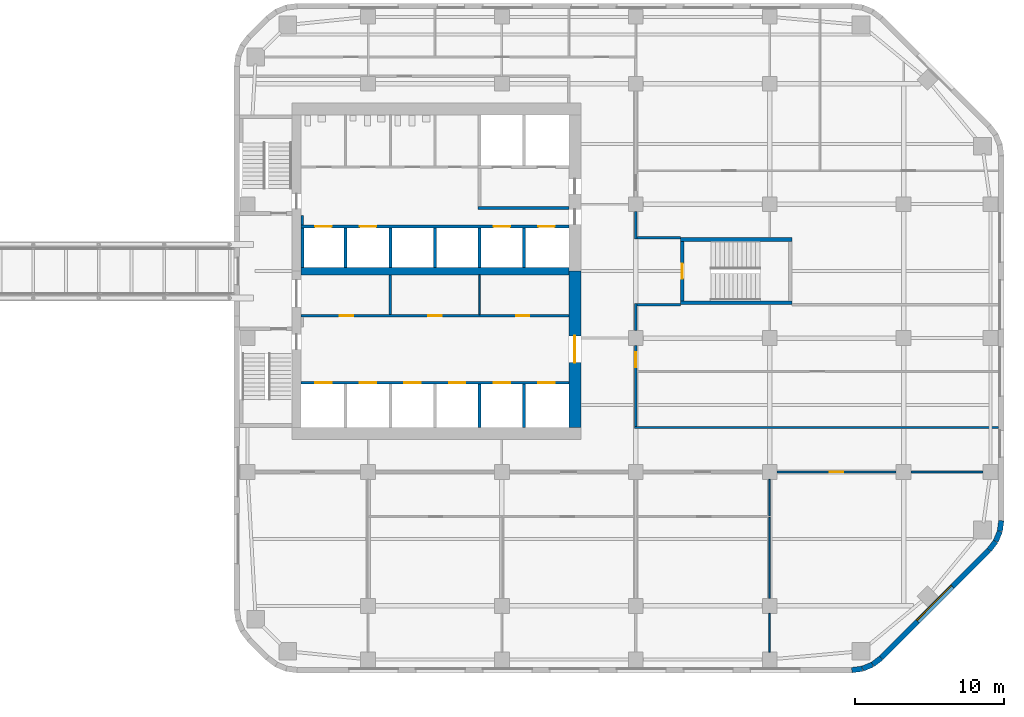
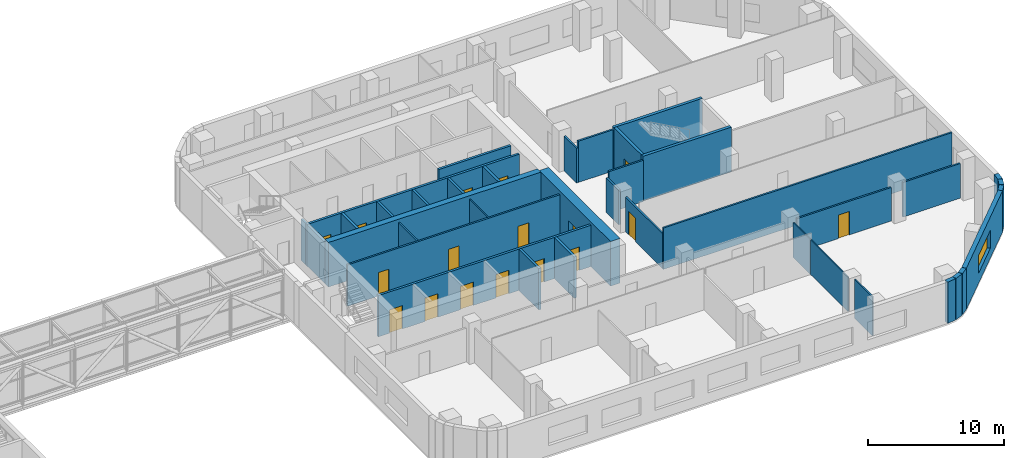
# One storey, part 15 of 21: 38 walls, 17 doors, 1 window, 18 openings.
"""IFC4 building model written with IfcOpenShell, lengths in metres."""

from ifc_helpers import new_model, si_unit, direction, frame, frame_2d, origin, place, context, subcontext, project, spatial, rectangle, extrude, material, layer, layer_set, type_object, element, fill, save


model = new_model("IFC4")

# Units and contexts
model_context = context("Model", 3, precision=1e-05, world=origin(), true_north=direction((0.0, 1.0)))
body_context = subcontext(model_context, "Body", "Model", "MODEL_VIEW")
ifc_project = project(units=[si_unit("LENGTHUNIT", "METRE"), si_unit("AREAUNIT", "SQUARE_METRE"), si_unit("VOLUMEUNIT", "CUBIC_METRE"), si_unit("PLANEANGLEUNIT", "RADIAN"), si_unit("MASSUNIT", "GRAM", prefix="KILO")], contexts=[model_context])

# Site, building, storey
site_placement = place(None, origin())
site = spatial("IfcSite", under=ifc_project, at=site_placement, CompositionType="ELEMENT")
building_placement = place(site_placement, origin())
building = spatial("IfcBuilding", under=site, at=building_placement, Name="Cinnabar Reach Civic Tower", CompositionType="ELEMENT")
storey_placement = place(building_placement, frame((0.0, 0.0, 140.0)))
storey = spatial("IfcBuildingStorey", under=building, at=storey_placement, Name="L33", CompositionType="ELEMENT", Elevation=140.0)

# Walls
ifc_material_1 = material(Name="Facing brick with insulated backing", Category="masonry")
ifc_layer_1 = layer(ifc_material_1, 0.36)
ifc_layer_set_1 = layer_set([ifc_layer_1], Name="Brick corner wall")
wall_type_1 = type_object("IfcWallType", Name="Brick corner wall", PredefinedType="STANDARD", material=ifc_layer_set_1)
for number, where, z_axis, x_axis, name in (
    (1, (41.5186, 4.683, 0.0), (0.0, 0.0, 1.0), (0.99144092581, 0.13055608231, 0.0), "Brick corner wall"),
    (2, (42.2473, 4.7819, 0.0), (0.0, 0.0, 1.0), (0.923871547278, 0.382702709855, 0.0), "Brick corner wall"),
):
    element("IfcWall", number, at=place(storey_placement, frame(where, z_axis=z_axis, x_axis=x_axis)), inside=storey, type_object=wall_type_1, Name=name, PredefinedType="STANDARD", context=body_context, shape_type="SweptSolid", body=[
        extrude(rectangle(XDim=0.7131, YDim=0.36, at=frame_2d((0.3565, 0.0))), origin(), (0.0, 0.0, 1.0), 3.7),
    ])
for number, where, z_axis, x_axis, name in (
    (3, (42.9255, 5.066, 0.0), (0.0, 0.0, 1.0), (0.793321924995, 0.608802368033, 0.0), "Brick corner wall"),
    (4, (50.7498, 12.7587, 0.0), (0.0, 0.0, 1.0), (0.608802368033, 0.793321924995, 0.0), "Brick corner wall"),
):
    element("IfcWall", number, at=place(storey_placement, frame(where, z_axis=z_axis, x_axis=x_axis)), inside=storey, type_object=wall_type_1, Name=name, PredefinedType="STANDARD", context=body_context, shape_type="SweptSolid", body=[
        extrude(rectangle(XDim=0.7132, YDim=0.36, at=frame_2d((0.3566, 0.0))), origin(), (0.0, 0.0, 1.0), 3.7),
    ])
for number, where, z_axis, x_axis, name in (
    (5, (51.1952, 13.3439, 0.0), (0.0, 0.0, 1.0), (0.382702709855, 0.923871547278, 0.0), "Brick corner wall"),
    (6, (51.4739, 14.0244, 0.0), (0.0, 0.0, 1.0), (0.13055608231, 0.99144092581, 0.0), "Brick corner wall"),
):
    element("IfcWall", number, at=place(storey_placement, frame(where, z_axis=z_axis, x_axis=x_axis)), inside=storey, type_object=wall_type_1, Name=name, PredefinedType="STANDARD", context=body_context, shape_type="SweptSolid", body=[
        extrude(rectangle(XDim=0.7131, YDim=0.36, at=frame_2d((0.3565, 0.0))), origin(), (0.0, 0.0, 1.0), 3.7),
    ])

# Wall, opening, window
ifc_layer_2 = layer(ifc_material_1, 0.36)
ifc_layer_set_2 = layer_set([ifc_layer_2], Name="Brick pier and spandrel wall")
wall_type_2 = type_object("IfcWallType", Name="Brick pier and spandrel wall", PredefinedType="STANDARD", material=ifc_layer_set_2)
wall_1_placement = place(storey_placement, frame((43.5014, 5.506, 0.0), z_axis=(0.0, 0.0, 1.0), x_axis=(0.707106781187, 0.707106781187, 0.0)))
wall_1 = element("IfcWall", 7, at=wall_1_placement, inside=storey, type_object=wall_type_2, Name="Brick facade wall", PredefinedType="STANDARD", context=body_context, shape_type="SweptSolid", body=[
    extrude(rectangle(XDim=10.2426, YDim=0.36, at=frame_2d((5.1213, 0.0))), origin(), (0.0, 0.0, 1.0), 3.7),
])
opening_1_placement = place(wall_1_placement, frame((3.4713, 0.0, 0.9)))
opening_1 = element("IfcOpeningElement", 8, at=opening_1_placement, cuts=wall_1, Name="Opening W1706", PredefinedType="OPENING", context=body_context, shape_type="SweptSolid", body=[
    extrude(rectangle(XDim=3.3, YDim=1.6, at=frame_2d((1.65, 0.8))), frame((0.0, 0.19, 0.0), z_axis=(0.0, -1.0, 0.0), x_axis=(1.0, 0.0, 0.0)), (0.0, 0.0, 1.0), 0.38),
])
ifc_material_2 = material(Name="Clear double glazing in aluminium frame", Category="aluminium")
window_type = type_object("IfcWindowType", Name="Deep-set window A", PartitioningType="SINGLE_PANEL", PredefinedType="WINDOW", material=ifc_material_2)
window_placement = place(opening_1_placement, origin())
window = element("IfcWindow", 9, at=window_placement, inside=storey, type_object=window_type, Name="Window southeast face", OverallHeight=1.6, OverallWidth=3.3, PartitioningType="SINGLE_PANEL", PredefinedType="WINDOW", context=body_context, shape_type="SweptSolid", body=[
    extrude(rectangle(XDim=3.3, YDim=1.6, at=frame_2d((1.65, 0.8))), frame((0.0, 0.13, 0.0), z_axis=(0.0, -1.0, 0.0), x_axis=(1.0, 0.0, 0.0)), (0.0, 0.0, 1.0), 0.06),
])
fill(opening_1, window)

# Wall
ifc_material_3 = material(Name="Concrete C60", Category="concrete")
ifc_layer_3 = layer(ifc_material_3, 0.5)
ifc_layer_set_3 = layer_set([ifc_layer_3], Name="Core wall 500 EI 180")
wall_type_3 = type_object("IfcWallType", Name="Core wall 500 EI 180", PredefinedType="SOLIDWALL", material=ifc_layer_set_3)
wall_2_placement = place(storey_placement, frame((4.5, 31.5, 0.0), z_axis=(0.0, 0.0, 1.0), x_axis=(1.0, 0.0, 0.0)))
element("IfcWall", 10, at=wall_2_placement, inside=storey, type_object=wall_type_3, Name="Core spine wall T1 L33", PredefinedType="SOLIDWALL", context=body_context, shape_type="SweptSolid", body=[
    extrude(rectangle(XDim=18.0, YDim=0.5, at=frame_2d((9.0, 0.0))), origin(), (0.0, 0.0, 1.0), 4.0),
])

# Wall, opening, door
ifc_material_4 = material(Name="Concrete C70", Category="concrete")
ifc_layer_4 = layer(ifc_material_4, 0.8)
ifc_layer_set_4 = layer_set([ifc_layer_4], Name="Core wall 800 EI 180")
wall_type_4 = type_object("IfcWallType", Name="Core wall 800 EI 180", PredefinedType="SOLIDWALL", material=ifc_layer_set_4)
wall_3_placement = place(storey_placement, frame((22.9, 21.0, 0.0), z_axis=(0.0, 0.0, 1.0), x_axis=(0.0, 1.0, 0.0)))
wall_3 = element("IfcWall", 11, at=wall_3_placement, inside=storey, type_object=wall_type_4, Name="Core wall T1 L33 E", PredefinedType="SOLIDWALL", context=body_context, shape_type="SweptSolid", body=[
    extrude(rectangle(XDim=10.5, YDim=0.8, at=frame_2d((5.25, 0.0))), origin(), (0.0, 0.0, 1.0), 4.0),
])
opening_2_placement = place(wall_3_placement, frame((4.35, 0.0, 0.0)))
opening_2 = element("IfcOpeningElement", 12, at=opening_2_placement, cuts=wall_3, Name="Opening D4349", PredefinedType="OPENING", context=body_context, shape_type="SweptSolid", body=[
    extrude(rectangle(XDim=1.8, YDim=2.1, at=frame_2d((0.9, 1.05))), frame((0.0, 0.41, 0.0), z_axis=(0.0, -1.0, 0.0), x_axis=(1.0, 0.0, 0.0)), (0.0, 0.0, 1.0), 0.82),
])
ifc_material_5 = material(Name="Timber door leaf in steel frame", Category="steel")
door_type_1 = type_object("IfcDoorType", Name="Double swing door 1800 x 2100 T1", OperationType="DOUBLE_DOOR_DOUBLE_SWING", PredefinedType="DOOR", material=ifc_material_5)
door_1_placement = place(opening_2_placement, origin())
door_1 = element("IfcDoor", 13, at=door_1_placement, inside=storey, type_object=door_type_1, Name="Door D4349", OperationType="DOUBLE_DOOR_DOUBLE_SWING", OverallHeight=2.1, OverallWidth=1.8, PredefinedType="DOOR", context=body_context, shape_type="SweptSolid", body=[
    extrude(rectangle(XDim=1.8, YDim=2.1, at=frame_2d((0.9, 1.05))), frame((0.0, 0.025, 0.0), z_axis=(0.0, -1.0, 0.0), x_axis=(1.0, 0.0, 0.0)), (0.0, 0.0, 1.0), 0.05),
])
fill(opening_2, door_1)

# Wall
ifc_material_6 = material(Name="Gypsum board on steel studs, double layer", Category="steel")
ifc_layer_5 = layer(ifc_material_6, 0.15)
ifc_layer_set_5 = layer_set([ifc_layer_5], Name="Corridor wall 150 T1")
wall_type_5 = type_object("IfcWallType", Name="Corridor wall 150 T1", PredefinedType="PARTITIONING", material=ifc_layer_set_5)
wall_4_placement = place(storey_placement, frame((45.5, 18.0, 0.0), z_axis=(0.0, 0.0, 1.0), x_axis=(1.0, 0.0, 0.0)))
element("IfcWall", 14, at=wall_4_placement, inside=storey, type_object=wall_type_5, Name="Corridor wall 19", PredefinedType="PARTITIONING", context=body_context, shape_type="SweptSolid", body=[
    extrude(rectangle(XDim=4.85, YDim=0.15, at=frame_2d((2.425, 0.0))), origin(), (0.0, 0.0, 1.0), 3.104),
])

# Wall, opening, door
wall_5_placement = place(storey_placement, frame((36.5, 18.0, 0.0), z_axis=(0.0, 0.0, 1.0), x_axis=(1.0, 0.0, 0.0)))
wall_5 = element("IfcWall", 15, at=wall_5_placement, inside=storey, type_object=wall_type_5, Name="Corridor wall 20", PredefinedType="PARTITIONING", context=body_context, shape_type="SweptSolid", body=[
    extrude(rectangle(XDim=8.0, YDim=0.15, at=frame_2d((4.0, 0.0))), origin(), (0.0, 0.0, 1.0), 3.008),
])
opening_3_placement = place(wall_5_placement, frame((3.55, 0.0, 0.0)))
opening_3 = element("IfcOpeningElement", 16, at=opening_3_placement, cuts=wall_5, Name="Opening D4370", PredefinedType="OPENING", context=body_context, shape_type="SweptSolid", body=[
    extrude(rectangle(XDim=0.9, YDim=2.1, at=frame_2d((0.45, 1.05))), frame((0.0, 0.085, 0.0), z_axis=(0.0, -1.0, 0.0), x_axis=(1.0, 0.0, 0.0)), (0.0, 0.0, 1.0), 0.17),
])
door_type_2 = type_object("IfcDoorType", Name="Single swing door 900 x 2100 corridor T1", OperationType="SINGLE_SWING_LEFT", PredefinedType="DOOR", material=ifc_material_5)
door_2_placement = place(opening_3_placement, frame((0.9, 0.0, 0.0), z_axis=(0.0, 0.0, 1.0), x_axis=(-1.0, 0.0, 0.0)))
door_2 = element("IfcDoor", 17, at=door_2_placement, inside=storey, type_object=door_type_2, Name="Door D4370", OperationType="SINGLE_SWING_LEFT", OverallHeight=2.1, OverallWidth=0.9, PredefinedType="DOOR", context=body_context, shape_type="SweptSolid", body=[
    extrude(rectangle(XDim=0.9, YDim=2.1, at=frame_2d((0.45, 1.05))), frame((0.0, 0.025, 0.0), z_axis=(0.0, -1.0, 0.0), x_axis=(1.0, 0.0, 0.0)), (0.0, 0.0, 1.0), 0.05),
])
fill(opening_3, door_2)

# Wall
wall_6_placement = place(storey_placement, frame((26.925, 21.0, 0.0), z_axis=(0.0, 0.0, 1.0), x_axis=(1.0, 0.0, 0.0)))
element("IfcWall", 18, at=wall_6_placement, inside=storey, type_object=wall_type_5, Name="Corridor wall 26", PredefinedType="PARTITIONING", context=body_context, shape_type="SweptSolid", body=[
    extrude(rectangle(XDim=24.465, YDim=0.15, at=frame_2d((12.2325, 0.0))), origin(), (0.0, 0.0, 1.0), 3.7),
])

# Wall, openings, doors
wall_7_placement = place(storey_placement, frame((4.5, 28.5, 0.0), z_axis=(0.0, 0.0, 1.0), x_axis=(1.0, 0.0, 0.0)))
wall_7 = element("IfcWall", 19, at=wall_7_placement, inside=storey, type_object=wall_type_5, Name="Corridor wall 28", PredefinedType="PARTITIONING", context=body_context, shape_type="SweptSolid", body=[
    extrude(rectangle(XDim=18.0, YDim=0.15, at=frame_2d((9.0, 0.0))), origin(), (0.0, 0.0, 1.0), 3.7),
])
opening_4_placement = place(wall_7_placement, frame((2.6, 0.0, 0.0)))
opening_4 = element("IfcOpeningElement", 20, at=opening_4_placement, cuts=wall_7, Name="Opening D4336", PredefinedType="OPENING", context=body_context, shape_type="SweptSolid", body=[
    extrude(rectangle(XDim=0.9, YDim=2.1, at=frame_2d((0.45, 1.05))), frame((0.0, 0.085, 0.0), z_axis=(0.0, -1.0, 0.0), x_axis=(1.0, 0.0, 0.0)), (0.0, 0.0, 1.0), 0.17),
])
opening_5_placement = place(wall_7_placement, frame((8.55, 0.0, 0.0)))
opening_5 = element("IfcOpeningElement", 21, at=opening_5_placement, cuts=wall_7, Name="Opening D4353", PredefinedType="OPENING", context=body_context, shape_type="SweptSolid", body=[
    extrude(rectangle(XDim=0.9, YDim=2.1, at=frame_2d((0.45, 1.05))), frame((0.0, 0.085, 0.0), z_axis=(0.0, -1.0, 0.0), x_axis=(1.0, 0.0, 0.0)), (0.0, 0.0, 1.0), 0.17),
])
opening_6_placement = place(wall_7_placement, frame((14.45, 0.0, 0.0)))
opening_6 = element("IfcOpeningElement", 22, at=opening_6_placement, cuts=wall_7, Name="Opening D4354", PredefinedType="OPENING", context=body_context, shape_type="SweptSolid", body=[
    extrude(rectangle(XDim=0.9, YDim=2.1, at=frame_2d((0.45, 1.05))), frame((0.0, 0.085, 0.0), z_axis=(0.0, -1.0, 0.0), x_axis=(1.0, 0.0, 0.0)), (0.0, 0.0, 1.0), 0.17),
])
door_3_placement = place(opening_4_placement, frame((0.9, 0.0, 0.0), z_axis=(0.0, 0.0, 1.0), x_axis=(-1.0, 0.0, 0.0)))
door_3 = element("IfcDoor", 23, at=door_3_placement, inside=storey, type_object=door_type_2, Name="Door D4336", OperationType="SINGLE_SWING_RIGHT", OverallHeight=2.1, OverallWidth=0.9, PredefinedType="DOOR", context=body_context, shape_type="SweptSolid", body=[
    extrude(rectangle(XDim=0.9, YDim=2.1, at=frame_2d((0.45, 1.05))), frame((0.0, 0.025, 0.0), z_axis=(0.0, -1.0, 0.0), x_axis=(1.0, 0.0, 0.0)), (0.0, 0.0, 1.0), 0.05),
])
fill(opening_4, door_3)
door_4_placement = place(opening_5_placement, origin())
door_4 = element("IfcDoor", 24, at=door_4_placement, inside=storey, type_object=door_type_2, Name="Door D4353", OperationType="SINGLE_SWING_LEFT", OverallHeight=2.1, OverallWidth=0.9, PredefinedType="DOOR", context=body_context, shape_type="SweptSolid", body=[
    extrude(rectangle(XDim=0.9, YDim=2.1, at=frame_2d((0.45, 1.05))), frame((0.0, 0.025, 0.0), z_axis=(0.0, -1.0, 0.0), x_axis=(1.0, 0.0, 0.0)), (0.0, 0.0, 1.0), 0.05),
])
fill(opening_5, door_4)
door_5_placement = place(opening_6_placement, origin())
door_5 = element("IfcDoor", 25, at=door_5_placement, inside=storey, type_object=door_type_2, Name="Door D4354", OperationType="SINGLE_SWING_LEFT", OverallHeight=2.1, OverallWidth=0.9, PredefinedType="DOOR", context=body_context, shape_type="SweptSolid", body=[
    extrude(rectangle(XDim=0.9, YDim=2.1, at=frame_2d((0.45, 1.05))), frame((0.0, 0.025, 0.0), z_axis=(0.0, -1.0, 0.0), x_axis=(1.0, 0.0, 0.0)), (0.0, 0.0, 1.0), 0.05),
])
fill(opening_6, door_5)

# Wall
wall_8_placement = place(storey_placement, frame((27.0, 33.675, 0.0), z_axis=(0.0, 0.0, 1.0), x_axis=(0.0, 1.0, 0.0)))
element("IfcWall", 26, at=wall_8_placement, inside=storey, type_object=wall_type_5, Name="Corridor wall 29", PredefinedType="PARTITIONING", context=body_context, shape_type="SweptSolid", body=[
    extrude(rectangle(XDim=1.825, YDim=0.15, at=frame_2d((0.9125, 0.0))), origin(), (0.0, 0.0, 1.0), 3.106),
])

# Wall, opening, door
wall_9_placement = place(storey_placement, frame((27.0, 21.075, 0.0), z_axis=(0.0, 0.0, 1.0), x_axis=(0.0, 1.0, 0.0)))
wall_9 = element("IfcWall", 27, at=wall_9_placement, inside=storey, type_object=wall_type_5, Name="Corridor wall 33", PredefinedType="PARTITIONING", context=body_context, shape_type="SweptSolid", body=[
    extrude(rectangle(XDim=5.425, YDim=0.15, at=frame_2d((2.7125, 0.0))), origin(), (0.0, 0.0, 1.0), 3.106),
])
opening_7_placement = place(wall_9_placement, frame((3.975, 0.0, 0.0)))
opening_7 = element("IfcOpeningElement", 28, at=opening_7_placement, cuts=wall_9, Name="Opening D4362", PredefinedType="OPENING", context=body_context, shape_type="SweptSolid", body=[
    extrude(rectangle(XDim=1.0, YDim=2.1, at=frame_2d((0.5, 1.05))), frame((0.0, 0.085, 0.0), z_axis=(0.0, -1.0, 0.0), x_axis=(1.0, 0.0, 0.0)), (0.0, 0.0, 1.0), 0.17),
])
door_type_3 = type_object("IfcDoorType", Name="Tenancy entrance door 1000 x 2100 T1", OperationType="SINGLE_SWING_LEFT", PredefinedType="DOOR", material=ifc_material_5)
door_6_placement = place(opening_7_placement, frame((1.0, 0.0, 0.0), z_axis=(0.0, 0.0, 1.0), x_axis=(-1.0, 0.0, 0.0)))
door_6 = element("IfcDoor", 29, at=door_6_placement, inside=storey, type_object=door_type_3, Name="Door D4362", OperationType="SINGLE_SWING_RIGHT", OverallHeight=2.1, OverallWidth=1.0, PredefinedType="DOOR", context=body_context, shape_type="SweptSolid", body=[
    extrude(rectangle(XDim=1.0, YDim=2.1, at=frame_2d((0.5, 1.05))), frame((0.0, 0.025, 0.0), z_axis=(0.0, -1.0, 0.0), x_axis=(1.0, 0.0, 0.0)), (0.0, 0.0, 1.0), 0.05),
])
fill(opening_7, door_6)

# Walls
wall_10_placement = place(storey_placement, frame((27.0, 27.5, 0.0), z_axis=(0.0, 0.0, 1.0), x_axis=(0.0, 1.0, 0.0)))
element("IfcWall", 30, at=wall_10_placement, inside=storey, type_object=wall_type_5, Name="Corridor wall 34", PredefinedType="PARTITIONING", context=body_context, shape_type="SweptSolid", body=[
    extrude(rectangle(XDim=1.825, YDim=0.15, at=frame_2d((0.9125, 0.0))), origin(), (0.0, 0.0, 1.0), 3.106),
])
for number, where, z_axis, x_axis, name in (
    (31, (27.075, 29.25, 0.0), (0.0, 0.0, 1.0), (1.0, 0.0, 0.0), "Corridor wall 35"),
    (32, (27.075, 33.75, 0.0), (0.0, 0.0, 1.0), (1.0, 0.0, 0.0), "Corridor wall 36"),
):
    element("IfcWall", number, at=place(storey_placement, frame(where, z_axis=z_axis, x_axis=x_axis)), inside=storey, type_object=wall_type_5, Name=name, PredefinedType="PARTITIONING", context=body_context, shape_type="SweptSolid", body=[
        extrude(rectangle(XDim=2.925, YDim=0.15, at=frame_2d((1.4625, 0.0))), origin(), (0.0, 0.0, 1.0), 3.7),
    ])
wall_11_placement = place(storey_placement, frame((10.5, 28.575, 0.0), z_axis=(0.0, 0.0, 1.0), x_axis=(0.0, 1.0, 0.0)))
element("IfcWall", 33, at=wall_11_placement, inside=storey, type_object=wall_type_5, Name="Corridor wall 37", PredefinedType="PARTITIONING", context=body_context, shape_type="SweptSolid", body=[
    extrude(rectangle(XDim=2.675, YDim=0.15, at=frame_2d((1.3375, 0.0))), origin(), (0.0, 0.0, 1.0), 3.7),
])
wall_12_placement = place(storey_placement, frame((4.575, 34.6, 0.0), z_axis=(0.0, 0.0, 1.0), x_axis=(0.0, 1.0, 0.0)))
element("IfcWall", 34, at=wall_12_placement, inside=storey, type_object=wall_type_5, Name="Corridor wall 40", PredefinedType="PARTITIONING", context=body_context, shape_type="SweptSolid", body=[
    extrude(rectangle(XDim=0.65, YDim=0.15, at=frame_2d((0.325, 0.0))), origin(), (0.0, 0.0, 1.0), 3.7),
])

# Wall, openings, doors
ifc_material_7 = material(Name="Blockwork", Category="masonry")
ifc_layer_6 = layer(ifc_material_7, 0.2)
ifc_layer_set_6 = layer_set([ifc_layer_6], Name="Lift shaft wall 200 T1")
wall_type_6 = type_object("IfcWallType", Name="Lift shaft wall 200 T1", PredefinedType="PARTITIONING", material=ifc_layer_set_6)
wall_13_placement = place(storey_placement, frame((4.5, 24.0, 0.0), z_axis=(0.0, 0.0, 1.0), x_axis=(1.0, 0.0, 0.0)))
wall_13 = element("IfcWall", 35, at=wall_13_placement, inside=storey, type_object=wall_type_6, Name="Lift shaft wall 4", PredefinedType="PARTITIONING", context=body_context, shape_type="SweptSolid", body=[
    extrude(rectangle(XDim=18.0, YDim=0.2, at=frame_2d((9.0, 0.0))), origin(), (0.0, 0.0, 1.0), 3.7),
])
opening_8_placement = place(wall_13_placement, frame((0.95, 0.0, 0.0)))
opening_8 = element("IfcOpeningElement", 36, at=opening_8_placement, cuts=wall_13, Name="Opening D4337", PredefinedType="OPENING", context=body_context, shape_type="SweptSolid", body=[
    extrude(rectangle(XDim=1.1, YDim=2.1, at=frame_2d((0.55, 1.05))), frame((0.0, 0.11, 0.0), z_axis=(0.0, -1.0, 0.0), x_axis=(1.0, 0.0, 0.0)), (0.0, 0.0, 1.0), 0.22),
])
opening_9_placement = place(wall_13_placement, frame((3.95, 0.0, 0.0)))
opening_9 = element("IfcOpeningElement", 37, at=opening_9_placement, cuts=wall_13, Name="Opening D4338", PredefinedType="OPENING", context=body_context, shape_type="SweptSolid", body=[
    extrude(rectangle(XDim=1.1, YDim=2.1, at=frame_2d((0.55, 1.05))), frame((0.0, 0.11, 0.0), z_axis=(0.0, -1.0, 0.0), x_axis=(1.0, 0.0, 0.0)), (0.0, 0.0, 1.0), 0.22),
])
opening_10_placement = place(wall_13_placement, frame((6.95, 0.0, 0.0)))
opening_10 = element("IfcOpeningElement", 38, at=opening_10_placement, cuts=wall_13, Name="Opening D4339", PredefinedType="OPENING", context=body_context, shape_type="SweptSolid", body=[
    extrude(rectangle(XDim=1.1, YDim=2.1, at=frame_2d((0.55, 1.05))), frame((0.0, 0.11, 0.0), z_axis=(0.0, -1.0, 0.0), x_axis=(1.0, 0.0, 0.0)), (0.0, 0.0, 1.0), 0.22),
])
opening_11_placement = place(wall_13_placement, frame((9.95, 0.0, 0.0)))
opening_11 = element("IfcOpeningElement", 39, at=opening_11_placement, cuts=wall_13, Name="Opening D4340", PredefinedType="OPENING", context=body_context, shape_type="SweptSolid", body=[
    extrude(rectangle(XDim=1.1, YDim=2.1, at=frame_2d((0.55, 1.05))), frame((0.0, 0.11, 0.0), z_axis=(0.0, -1.0, 0.0), x_axis=(1.0, 0.0, 0.0)), (0.0, 0.0, 1.0), 0.22),
])
opening_12_placement = place(wall_13_placement, frame((12.95, 0.0, 0.0)))
opening_12 = element("IfcOpeningElement", 40, at=opening_12_placement, cuts=wall_13, Name="Opening D4341", PredefinedType="OPENING", context=body_context, shape_type="SweptSolid", body=[
    extrude(rectangle(XDim=1.1, YDim=2.1, at=frame_2d((0.55, 1.05))), frame((0.0, 0.11, 0.0), z_axis=(0.0, -1.0, 0.0), x_axis=(1.0, 0.0, 0.0)), (0.0, 0.0, 1.0), 0.22),
])
opening_13_placement = place(wall_13_placement, frame((15.95, 0.0, 0.0)))
opening_13 = element("IfcOpeningElement", 41, at=opening_13_placement, cuts=wall_13, Name="Opening D4342", PredefinedType="OPENING", context=body_context, shape_type="SweptSolid", body=[
    extrude(rectangle(XDim=1.1, YDim=2.1, at=frame_2d((0.55, 1.05))), frame((0.0, 0.11, 0.0), z_axis=(0.0, -1.0, 0.0), x_axis=(1.0, 0.0, 0.0)), (0.0, 0.0, 1.0), 0.22),
])
ifc_material_8 = material(Name="Stainless steel sliding door", Category="steel")
door_type_4 = type_object("IfcDoorType", Name="Lift landing door 1100 x 2100 T1", OperationType="SLIDING_TO_LEFT", PredefinedType="DOOR", material=ifc_material_8)
door_7_placement = place(opening_8_placement, origin())
door_7 = element("IfcDoor", 42, at=door_7_placement, inside=storey, type_object=door_type_4, Name="Lift landing door LR1 L33", OperationType="SLIDING_TO_LEFT", OverallHeight=2.1, OverallWidth=1.1, PredefinedType="DOOR", context=body_context, shape_type="SweptSolid", body=[
    extrude(rectangle(XDim=1.1, YDim=2.1, at=frame_2d((0.55, 1.05))), frame((0.0, 0.025, 0.0), z_axis=(0.0, -1.0, 0.0), x_axis=(1.0, 0.0, 0.0)), (0.0, 0.0, 1.0), 0.05),
])
fill(opening_8, door_7)
door_8_placement = place(opening_9_placement, origin())
door_8 = element("IfcDoor", 43, at=door_8_placement, inside=storey, type_object=door_type_4, Name="Lift landing door LR2 L33", OperationType="SLIDING_TO_LEFT", OverallHeight=2.1, OverallWidth=1.1, PredefinedType="DOOR", context=body_context, shape_type="SweptSolid", body=[
    extrude(rectangle(XDim=1.1, YDim=2.1, at=frame_2d((0.55, 1.05))), frame((0.0, 0.025, 0.0), z_axis=(0.0, -1.0, 0.0), x_axis=(1.0, 0.0, 0.0)), (0.0, 0.0, 1.0), 0.05),
])
fill(opening_9, door_8)
door_9_placement = place(opening_10_placement, origin())
door_9 = element("IfcDoor", 44, at=door_9_placement, inside=storey, type_object=door_type_4, Name="Lift landing door LR3 L33", OperationType="SLIDING_TO_LEFT", OverallHeight=2.1, OverallWidth=1.1, PredefinedType="DOOR", context=body_context, shape_type="SweptSolid", body=[
    extrude(rectangle(XDim=1.1, YDim=2.1, at=frame_2d((0.55, 1.05))), frame((0.0, 0.025, 0.0), z_axis=(0.0, -1.0, 0.0), x_axis=(1.0, 0.0, 0.0)), (0.0, 0.0, 1.0), 0.05),
])
fill(opening_10, door_9)
door_10_placement = place(opening_11_placement, origin())
door_10 = element("IfcDoor", 45, at=door_10_placement, inside=storey, type_object=door_type_4, Name="Lift landing door LR4 L33", OperationType="SLIDING_TO_LEFT", OverallHeight=2.1, OverallWidth=1.1, PredefinedType="DOOR", context=body_context, shape_type="SweptSolid", body=[
    extrude(rectangle(XDim=1.1, YDim=2.1, at=frame_2d((0.55, 1.05))), frame((0.0, 0.025, 0.0), z_axis=(0.0, -1.0, 0.0), x_axis=(1.0, 0.0, 0.0)), (0.0, 0.0, 1.0), 0.05),
])
fill(opening_11, door_10)
door_11_placement = place(opening_12_placement, origin())
door_11 = element("IfcDoor", 46, at=door_11_placement, inside=storey, type_object=door_type_4, Name="Lift landing door LR5 L33", OperationType="SLIDING_TO_LEFT", OverallHeight=2.1, OverallWidth=1.1, PredefinedType="DOOR", context=body_context, shape_type="SweptSolid", body=[
    extrude(rectangle(XDim=1.1, YDim=2.1, at=frame_2d((0.55, 1.05))), frame((0.0, 0.025, 0.0), z_axis=(0.0, -1.0, 0.0), x_axis=(1.0, 0.0, 0.0)), (0.0, 0.0, 1.0), 0.05),
])
fill(opening_12, door_11)
door_12_placement = place(opening_13_placement, origin())
door_12 = element("IfcDoor", 47, at=door_12_placement, inside=storey, type_object=door_type_4, Name="Lift landing door LR6 L33", OperationType="SLIDING_TO_LEFT", OverallHeight=2.1, OverallWidth=1.1, PredefinedType="DOOR", context=body_context, shape_type="SweptSolid", body=[
    extrude(rectangle(XDim=1.1, YDim=2.1, at=frame_2d((0.55, 1.05))), frame((0.0, 0.025, 0.0), z_axis=(0.0, -1.0, 0.0), x_axis=(1.0, 0.0, 0.0)), (0.0, 0.0, 1.0), 0.05),
])
fill(opening_13, door_12)

wall_14_placement = place(storey_placement, frame((4.5, 34.5, 0.0), z_axis=(0.0, 0.0, 1.0), x_axis=(1.0, 0.0, 0.0)))
wall_14 = element("IfcWall", 48, at=wall_14_placement, inside=storey, type_object=wall_type_6, Name="Lift shaft wall 5", PredefinedType="PARTITIONING", context=body_context, shape_type="SweptSolid", body=[
    extrude(rectangle(XDim=18.0, YDim=0.2, at=frame_2d((9.0, 0.0))), origin(), (0.0, 0.0, 1.0), 3.7),
])
opening_14_placement = place(wall_14_placement, frame((0.95, 0.0, 0.0)))
opening_14 = element("IfcOpeningElement", 49, at=opening_14_placement, cuts=wall_14, Name="Opening D4343", PredefinedType="OPENING", context=body_context, shape_type="SweptSolid", body=[
    extrude(rectangle(XDim=1.1, YDim=2.1, at=frame_2d((0.55, 1.05))), frame((0.0, 0.11, 0.0), z_axis=(0.0, -1.0, 0.0), x_axis=(1.0, 0.0, 0.0)), (0.0, 0.0, 1.0), 0.22),
])
opening_15_placement = place(wall_14_placement, frame((3.95, 0.0, 0.0)))
opening_15 = element("IfcOpeningElement", 50, at=opening_15_placement, cuts=wall_14, Name="Opening D4344", PredefinedType="OPENING", context=body_context, shape_type="SweptSolid", body=[
    extrude(rectangle(XDim=1.1, YDim=2.1, at=frame_2d((0.55, 1.05))), frame((0.0, 0.11, 0.0), z_axis=(0.0, -1.0, 0.0), x_axis=(1.0, 0.0, 0.0)), (0.0, 0.0, 1.0), 0.22),
])
opening_16_placement = place(wall_14_placement, frame((12.95, 0.0, 0.0)))
opening_16 = element("IfcOpeningElement", 51, at=opening_16_placement, cuts=wall_14, Name="Opening D4345", PredefinedType="OPENING", context=body_context, shape_type="SweptSolid", body=[
    extrude(rectangle(XDim=1.1, YDim=2.1, at=frame_2d((0.55, 1.05))), frame((0.0, 0.11, 0.0), z_axis=(0.0, -1.0, 0.0), x_axis=(1.0, 0.0, 0.0)), (0.0, 0.0, 1.0), 0.22),
])
opening_17_placement = place(wall_14_placement, frame((15.95, 0.0, 0.0)))
opening_17 = element("IfcOpeningElement", 52, at=opening_17_placement, cuts=wall_14, Name="Opening D4346", PredefinedType="OPENING", context=body_context, shape_type="SweptSolid", body=[
    extrude(rectangle(XDim=1.1, YDim=2.1, at=frame_2d((0.55, 1.05))), frame((0.0, 0.11, 0.0), z_axis=(0.0, -1.0, 0.0), x_axis=(1.0, 0.0, 0.0)), (0.0, 0.0, 1.0), 0.22),
])
door_13_placement = place(opening_14_placement, origin())
door_13 = element("IfcDoor", 53, at=door_13_placement, inside=storey, type_object=door_type_4, Name="Lift landing door SH1 L33", OperationType="SLIDING_TO_LEFT", OverallHeight=2.1, OverallWidth=1.1, PredefinedType="DOOR", context=body_context, shape_type="SweptSolid", body=[
    extrude(rectangle(XDim=1.1, YDim=2.1, at=frame_2d((0.55, 1.05))), frame((0.0, 0.025, 0.0), z_axis=(0.0, -1.0, 0.0), x_axis=(1.0, 0.0, 0.0)), (0.0, 0.0, 1.0), 0.05),
])
fill(opening_14, door_13)
door_14_placement = place(opening_15_placement, origin())
door_14 = element("IfcDoor", 54, at=door_14_placement, inside=storey, type_object=door_type_4, Name="Lift landing door SH2 L33", OperationType="SLIDING_TO_LEFT", OverallHeight=2.1, OverallWidth=1.1, PredefinedType="DOOR", context=body_context, shape_type="SweptSolid", body=[
    extrude(rectangle(XDim=1.1, YDim=2.1, at=frame_2d((0.55, 1.05))), frame((0.0, 0.025, 0.0), z_axis=(0.0, -1.0, 0.0), x_axis=(1.0, 0.0, 0.0)), (0.0, 0.0, 1.0), 0.05),
])
fill(opening_15, door_14)
door_15_placement = place(opening_16_placement, origin())
door_15 = element("IfcDoor", 55, at=door_15_placement, inside=storey, type_object=door_type_4, Name="Lift landing door SV1 L33", OperationType="SLIDING_TO_LEFT", OverallHeight=2.1, OverallWidth=1.1, PredefinedType="DOOR", context=body_context, shape_type="SweptSolid", body=[
    extrude(rectangle(XDim=1.1, YDim=2.1, at=frame_2d((0.55, 1.05))), frame((0.0, 0.025, 0.0), z_axis=(0.0, -1.0, 0.0), x_axis=(1.0, 0.0, 0.0)), (0.0, 0.0, 1.0), 0.05),
])
fill(opening_16, door_15)
door_16_placement = place(opening_17_placement, origin())
door_16 = element("IfcDoor", 56, at=door_16_placement, inside=storey, type_object=door_type_4, Name="Lift landing door SV2 L33", OperationType="SLIDING_TO_LEFT", OverallHeight=2.1, OverallWidth=1.1, PredefinedType="DOOR", context=body_context, shape_type="SweptSolid", body=[
    extrude(rectangle(XDim=1.1, YDim=2.1, at=frame_2d((0.55, 1.05))), frame((0.0, 0.025, 0.0), z_axis=(0.0, -1.0, 0.0), x_axis=(1.0, 0.0, 0.0)), (0.0, 0.0, 1.0), 0.05),
])
fill(opening_17, door_16)

# Walls
for number, where, z_axis, x_axis, name in (
    (57, (4.6, 31.75, 0.0), (0.0, 0.0, 1.0), (0.0, 1.0, 0.0), "Lift shaft wall 8"),
    (58, (7.5, 31.75, 0.0), (0.0, 0.0, 1.0), (0.0, 1.0, 0.0), "Lift shaft wall 10"),
    (59, (10.5, 31.75, 0.0), (0.0, 0.0, 1.0), (0.0, 1.0, 0.0), "Lift shaft wall 12"),
    (60, (13.5, 31.75, 0.0), (0.0, 0.0, 1.0), (0.0, 1.0, 0.0), "Lift shaft wall 14"),
):
    element("IfcWall", number, at=place(storey_placement, frame(where, z_axis=z_axis, x_axis=x_axis)), inside=storey, type_object=wall_type_6, Name=name, PredefinedType="PARTITIONING", context=body_context, shape_type="SweptSolid", body=[
        extrude(rectangle(XDim=2.65, YDim=0.2, at=frame_2d((1.325, 0.0))), origin(), (0.0, 0.0, 1.0), 3.7),
    ])
wall_15_placement = place(storey_placement, frame((16.5, 21.0, 0.0), z_axis=(0.0, 0.0, 1.0), x_axis=(0.0, 1.0, 0.0)))
element("IfcWall", 61, at=wall_15_placement, inside=storey, type_object=wall_type_6, Name="Lift shaft wall 15", PredefinedType="PARTITIONING", context=body_context, shape_type="SweptSolid", body=[
    extrude(rectangle(XDim=2.9, YDim=0.2, at=frame_2d((1.45, 0.0))), origin(), (0.0, 0.0, 1.0), 3.7),
])
wall_16_placement = place(storey_placement, frame((16.5, 31.75, 0.0), z_axis=(0.0, 0.0, 1.0), x_axis=(0.0, 1.0, 0.0)))
element("IfcWall", 62, at=wall_16_placement, inside=storey, type_object=wall_type_6, Name="Lift shaft wall 16", PredefinedType="PARTITIONING", context=body_context, shape_type="SweptSolid", body=[
    extrude(rectangle(XDim=2.65, YDim=0.2, at=frame_2d((1.325, 0.0))), origin(), (0.0, 0.0, 1.0), 3.7),
])
wall_17_placement = place(storey_placement, frame((19.5, 21.0, 0.0), z_axis=(0.0, 0.0, 1.0), x_axis=(0.0, 1.0, 0.0)))
element("IfcWall", 63, at=wall_17_placement, inside=storey, type_object=wall_type_6, Name="Lift shaft wall 17", PredefinedType="PARTITIONING", context=body_context, shape_type="SweptSolid", body=[
    extrude(rectangle(XDim=2.9, YDim=0.2, at=frame_2d((1.45, 0.0))), origin(), (0.0, 0.0, 1.0), 3.7),
])
wall_18_placement = place(storey_placement, frame((19.5, 31.75, 0.0), z_axis=(0.0, 0.0, 1.0), x_axis=(0.0, 1.0, 0.0)))
element("IfcWall", 64, at=wall_18_placement, inside=storey, type_object=wall_type_6, Name="Lift shaft wall 18", PredefinedType="PARTITIONING", context=body_context, shape_type="SweptSolid", body=[
    extrude(rectangle(XDim=2.65, YDim=0.2, at=frame_2d((1.325, 0.0))), origin(), (0.0, 0.0, 1.0), 3.7),
])
ifc_material_9 = material(Name="Gypsum board on steel studs", Category="steel")
ifc_layer_7 = layer(ifc_material_9, 0.1)
ifc_layer_set_7 = layer_set([ifc_layer_7], Name="Partition wall 100 T1")
wall_type_7 = type_object("IfcWallType", Name="Partition wall 100 T1", PredefinedType="PARTITIONING", material=ifc_layer_set_7)
wall_19_placement = place(storey_placement, frame((36.0, 5.9, 0.0), z_axis=(0.0, 0.0, 1.0), x_axis=(0.0, 1.0, 0.0)))
element("IfcWall", 65, at=wall_19_placement, inside=storey, type_object=wall_type_7, Name="Partition wall 52", PredefinedType="PARTITIONING", context=body_context, shape_type="SweptSolid", body=[
    extrude(rectangle(XDim=2.6, YDim=0.1, at=frame_2d((1.3, 0.0))), origin(), (0.0, 0.0, 1.0), 3.502),
])
wall_20_placement = place(storey_placement, frame((36.0, 15.05, 0.0), z_axis=(0.0, 0.0, 1.0), x_axis=(0.0, 1.0, 0.0)))
element("IfcWall", 66, at=wall_20_placement, inside=storey, type_object=wall_type_7, Name="Partition wall 53", PredefinedType="PARTITIONING", context=body_context, shape_type="SweptSolid", body=[
    extrude(rectangle(XDim=2.45, YDim=0.1, at=frame_2d((1.225, 0.0))), origin(), (0.0, 0.0, 1.0), 3.106),
])
wall_21_placement = place(storey_placement, frame((36.0, 9.5, 0.0), z_axis=(0.0, 0.0, 1.0), x_axis=(0.0, 1.0, 0.0)))
element("IfcWall", 67, at=wall_21_placement, inside=storey, type_object=wall_type_7, Name="Partition wall 54", PredefinedType="PARTITIONING", context=body_context, shape_type="SweptSolid", body=[
    extrude(rectangle(XDim=5.45, YDim=0.1, at=frame_2d((2.725, 0.0))), origin(), (0.0, 0.0, 1.0), 3.106),
])
wall_22_placement = place(storey_placement, frame((16.5, 28.575, 0.0), z_axis=(0.0, 0.0, 1.0), x_axis=(0.0, 1.0, 0.0)))
element("IfcWall", 68, at=wall_22_placement, inside=storey, type_object=wall_type_7, Name="Partition wall 63", PredefinedType="PARTITIONING", context=body_context, shape_type="SweptSolid", body=[
    extrude(rectangle(XDim=2.675, YDim=0.1, at=frame_2d((1.3375, 0.0))), origin(), (0.0, 0.0, 1.0), 3.7),
])
ifc_material_10 = material(Name="Concrete C40", Category="concrete")
ifc_layer_8 = layer(ifc_material_10, 0.2)
ifc_layer_set_8 = layer_set([ifc_layer_8], Name="Refuge compartment wall 200 T1")
wall_type_8 = type_object("IfcWallType", Name="Refuge compartment wall 200 T1", PredefinedType="PARTITIONING", material=ifc_layer_set_8)
wall_23_placement = place(storey_placement, frame((16.4, 35.75, 0.0), z_axis=(0.0, 0.0, 1.0), x_axis=(1.0, 0.0, 0.0)))
element("IfcWall", 69, at=wall_23_placement, inside=storey, type_object=wall_type_8, Name="Refuge compartment wall 1", PredefinedType="PARTITIONING", context=body_context, shape_type="SweptSolid", body=[
    extrude(rectangle(XDim=6.1, YDim=0.2, at=frame_2d((3.05, 0.0))), origin(), (0.0, 0.0, 1.0), 3.7),
])
ifc_layer_9 = layer(ifc_material_3, 0.25)
ifc_layer_set_9 = layer_set([ifc_layer_9], Name="Stair shaft wall 250 EI 120")
wall_type_9 = type_object("IfcWallType", Name="Stair shaft wall 250 EI 120", PredefinedType="SOLIDWALL", material=ifc_layer_set_9)
for number, where, z_axis, x_axis, name in (
    (70, (30.0, 29.375, 0.0), (0.0, 0.0, 1.0), (1.0, 0.0, 0.0), "Stair shaft wall T1-S3 L33"),
    (71, (37.5, 33.625, 0.0), (0.0, 0.0, 1.0), (-1.0, 0.0, 0.0), "Stair shaft wall T1-S3 L33"),
):
    element("IfcWall", number, at=place(storey_placement, frame(where, z_axis=z_axis, x_axis=x_axis)), inside=storey, type_object=wall_type_9, Name=name, PredefinedType="SOLIDWALL", context=body_context, shape_type="SweptSolid", body=[
        extrude(rectangle(XDim=7.5, YDim=0.25, at=frame_2d((3.75, 0.0))), origin(), (0.0, 0.0, 1.0), 4.0),
    ])

# Wall, opening, door
wall_24_placement = place(storey_placement, frame((30.125, 33.5, 0.0), z_axis=(0.0, 0.0, 1.0), x_axis=(0.0, -1.0, 0.0)))
wall_24 = element("IfcWall", 72, at=wall_24_placement, inside=storey, type_object=wall_type_9, Name="Stair shaft wall T1-S3 L33", PredefinedType="SOLIDWALL", context=body_context, shape_type="SweptSolid", body=[
    extrude(rectangle(XDim=4.0, YDim=0.25, at=frame_2d((2.0, 0.0))), origin(), (0.0, 0.0, 1.0), 4.0),
])
opening_18_placement = place(wall_24_placement, frame((1.5, 0.0, 0.0)))
opening_18 = element("IfcOpeningElement", 73, at=opening_18_placement, cuts=wall_24, Name="Opening D4352", PredefinedType="OPENING", context=body_context, shape_type="SweptSolid", body=[
    extrude(rectangle(XDim=1.0, YDim=2.1, at=frame_2d((0.5, 1.05))), frame((0.0, 0.135, 0.0), z_axis=(0.0, -1.0, 0.0), x_axis=(1.0, 0.0, 0.0)), (0.0, 0.0, 1.0), 0.27),
])
door_type_5 = type_object("IfcDoorType", Name="Stair door 1000 x 2100 T1", OperationType="SINGLE_SWING_LEFT", PredefinedType="DOOR", material=ifc_material_5)
door_17_placement = place(opening_18_placement, origin())
door_17 = element("IfcDoor", 74, at=door_17_placement, inside=storey, type_object=door_type_5, Name="Door D4352", OperationType="SINGLE_SWING_RIGHT", OverallHeight=2.1, OverallWidth=1.0, PredefinedType="DOOR", context=body_context, shape_type="SweptSolid", body=[
    extrude(rectangle(XDim=1.0, YDim=2.1, at=frame_2d((0.5, 1.05))), frame((0.0, 0.025, 0.0), z_axis=(0.0, -1.0, 0.0), x_axis=(1.0, 0.0, 0.0)), (0.0, 0.0, 1.0), 0.05),
])
fill(opening_18, door_17)

save(model, "model.ifc")
